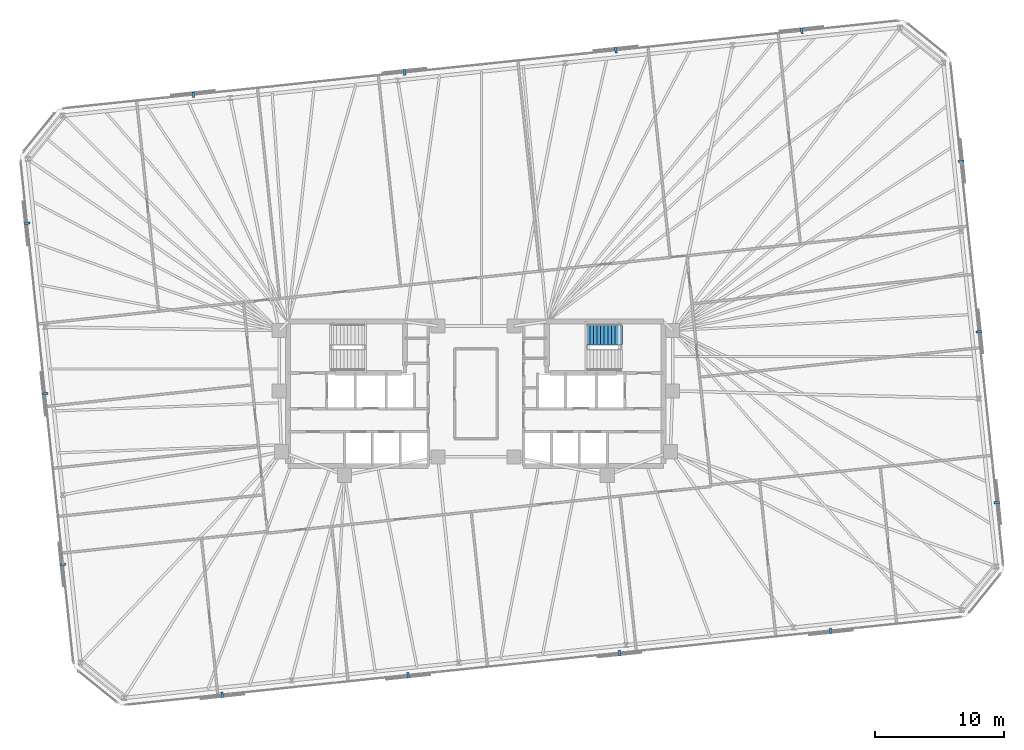
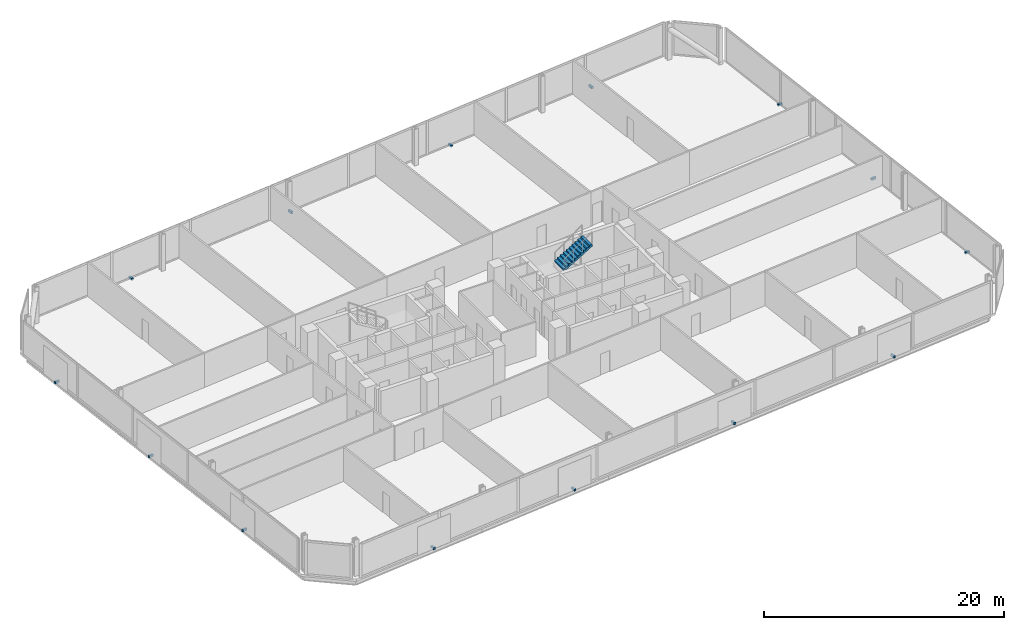
# One storey, part 17 of 18: 14 discrete accessories, 1 stair flight, 1 element without a shape of its own.
"""IFC4 building model written with IfcOpenShell, lengths in metres."""

from ifc_helpers import new_model, si_unit, direction, frame, origin, origin_2d, place, context, subcontext, project, spatial, polyline, rectangle, outline, extrude, material, type_object, element, aggregate, save


model = new_model("IFC4")

# Units and contexts
model_context = context("Model", 3, precision=1e-05, world=origin(), true_north=direction((0.0, 1.0)))
body_context = subcontext(model_context, "Body", "Model", "MODEL_VIEW")
ifc_project = project(units=[si_unit("LENGTHUNIT", "METRE"), si_unit("AREAUNIT", "SQUARE_METRE"), si_unit("VOLUMEUNIT", "CUBIC_METRE"), si_unit("PLANEANGLEUNIT", "RADIAN"), si_unit("MASSUNIT", "GRAM", prefix="KILO")], contexts=[model_context])

# Site, building, storey
site_placement = place(None, origin())
site = spatial("IfcSite", under=ifc_project, at=site_placement, CompositionType="ELEMENT")
building_placement = place(site_placement, origin())
building = spatial("IfcBuilding", under=site, at=building_placement, Name="Menara Jurai Vektor", CompositionType="ELEMENT")
storey_placement = place(building_placement, frame((0.0, 0.0, 98.5)))
storey = spatial("IfcBuildingStorey", under=building, at=storey_placement, Name="L24", CompositionType="ELEMENT", Elevation=98.5)

# Stair, stair flight
ifc_material_1 = material(Name="Concrete C40/50", Category="concrete")
stair_type = type_object("IfcStairType", Name="STAIR-DOGLEG-1500", PredefinedType="HALF_TURN_STAIR", material=ifc_material_1)
stair_placement = place(storey_placement, origin())
stair = element("IfcStair", 1, at=stair_placement, inside=storey, type_object=stair_type, Name="Protected Exit Stair ST2 L24", PredefinedType="HALF_TURN_STAIR")
stair_flight_type = type_object("IfcStairFlightType", Name="STAIR-FLIGHT-1500", PredefinedType="STRAIGHT", material=ifc_material_1)
stair_flight_placement = place(storey_placement, frame((8.550048828125, 4.550048828125, 1.85009765625), z_axis=(0.0, 0.0, 1.0), x_axis=(1.0, 0.0, 0.0)))
stair_flight = element("IfcStairFlight", 2, at=stair_flight_placement, type_object=stair_flight_type, Name="ST2 flight 2", NumberOfRisers=11, NumberOfTreads=10, PredefinedType="STRAIGHT", RiserHeight=0.168182, TreadLength=0.28, context=body_context, shape_type="SweptSolid", body=[
    extrude(outline(polyline([(0.0, 0.0), (0.0, 0.168212890625), (0.280029296875, 0.168212890625), (0.280029296875, 0.33642578125), (0.56005859375, 0.33642578125), (0.56005859375, 0.504638671875), (0.840087890625, 0.504638671875), (0.840087890625, 0.672607421875), (1.1201171875, 0.672607421875), (1.1201171875, 0.8408203125), (1.39990234375, 0.8408203125), (1.39990234375, 1.009033203125), (1.679931640625, 1.009033203125), (1.679931640625, 1.17724609375), (1.9599609375, 1.17724609375), (1.9599609375, 1.345458984375), (2.239990234375, 1.345458984375), (2.239990234375, 1.513671875), (2.52001953125, 1.513671875), (2.52001953125, 1.681884765625), (2.800048828125, 1.681884765625), (2.800048828125, 1.85009765625), (2.800048828125, 1.495361328125), (0.310546875, 0.0), (0.0, 0.0)])), frame((0.0, 0.75, 0.0), z_axis=(0.0, -1.0, 0.0), x_axis=(1.0, 0.0, 0.0)), (0.0, 0.0, 1.0), 1.5),
])
aggregate(stair, [stair_flight])

# Discrete accessories
ifc_material_2 = material(Name="Steel S355", Category="steel")
discrete_accessory_type = type_object("IfcDiscreteAccessoryType", Name="ENV-ACC-BRACKET", PredefinedType="BRACKET", material=ifc_material_2)
for number, where, z_axis, x_axis, name in (
    (3, (-19.673583984375, -23.35009765625, -0.1298828125), (0.0, 0.0, 1.0), (0.994521895368, 0.104528463268, 0.0), "Solar Screen Stand-Off Bracket L24-S01"),
    (4, (-5.2548828125, -21.834716796875, -0.1298828125), (0.0, 0.0, 1.0), (0.994521895368, 0.104528463268, 0.0), "Solar Screen Stand-Off Bracket L24-S02"),
    (5, (11.1298828125, -20.112548828125, -0.1298828125), (0.0, 0.0, 1.0), (0.994521895368, 0.104528463268, 0.0), "Solar Screen Stand-Off Bracket L24-S03"),
    (6, (27.5146484375, -18.390380859375, -0.1298828125), (0.0, 0.0, 1.0), (0.994521895368, 0.104528463268, 0.0), "Solar Screen Stand-Off Bracket L24-S04"),
    (7, (40.397705078125, -8.42578125, -0.1298828125), (0.0, 0.0, 1.0), (-0.104528463268, 0.994521895368, 0.0), "Solar Screen Stand-Off Bracket L24-S05"),
    (8, (39.00732421875, 4.80126953125, -0.1298828125), (0.0, 0.0, 1.0), (-0.104528463268, 0.994521895368, 0.0), "Solar Screen Stand-Off Bracket L24-S06"),
    (9, (37.6171875, 18.028564453125, -0.1298828125), (0.0, 0.0, 1.0), (-0.104528463268, 0.994521895368, 0.0), "Solar Screen Stand-Off Bracket L24-S07"),
    (10, (25.2734375, 28.150146484375, -0.1298828125), (0.0, 0.0, 1.0), (-0.994521895368, -0.104528463268, 0.0), "Solar Screen Stand-Off Bracket L24-S08"),
    (11, (10.85498046875, 26.634765625, -0.1298828125), (0.0, 0.0, 1.0), (-0.994521895368, -0.104528463268, 0.0), "Solar Screen Stand-Off Bracket L24-S09"),
    (12, (-5.52978515625, 24.91259765625, -0.1298828125), (0.0, 0.0, 1.0), (-0.994521895368, -0.104528463268, 0.0), "Solar Screen Stand-Off Bracket L24-S10"),
    (13, (-21.91455078125, 23.1904296875, -0.1298828125), (0.0, 0.0, 1.0), (-0.994521895368, -0.104528463268, 0.0), "Solar Screen Stand-Off Bracket L24-S11"),
    (14, (-34.797607421875, 13.225830078125, -0.1298828125), (0.0, 0.0, 1.0), (0.104528463268, -0.994521895368, 0.0), "Solar Screen Stand-Off Bracket L24-S12"),
    (15, (-33.407470703125, -0.001220703125, -0.1298828125), (0.0, 0.0, 1.0), (0.104528463268, -0.994521895368, 0.0), "Solar Screen Stand-Off Bracket L24-S13"),
    (16, (-32.01708984375, -13.228515625, -0.1298828125), (0.0, 0.0, 1.0), (0.104528463268, -0.994521895368, 0.0), "Solar Screen Stand-Off Bracket L24-S14"),
):
    element("IfcDiscreteAccessory", number, at=place(storey_placement, frame(where, z_axis=z_axis, x_axis=x_axis)), inside=storey, type_object=discrete_accessory_type, Name=name, PredefinedType="BRACKET", context=body_context, shape_type="SweptSolid", body=[
        extrude(rectangle(XDim=0.179931640625, YDim=0.43994140625, at=origin_2d()), origin(), (0.0, 0.0, 1.0), 0.219970703125),
    ])

save(model, "model.ifc")
